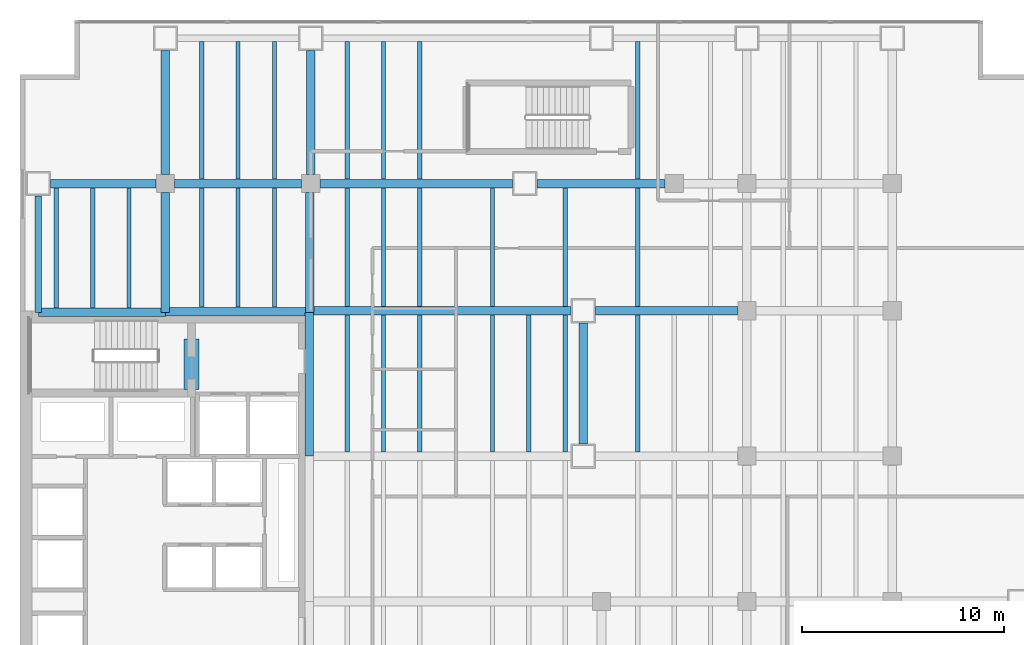
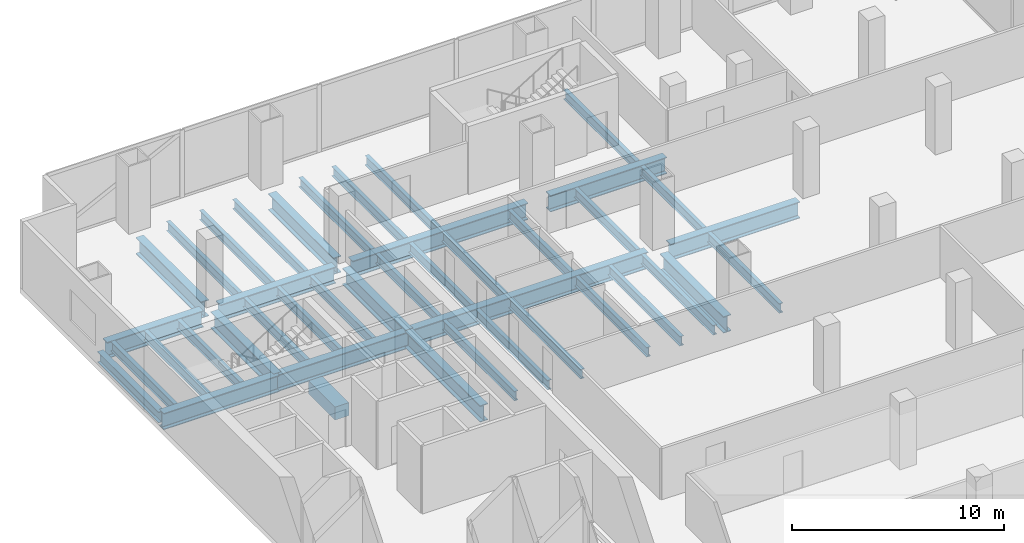
# One storey, part 11 of 34: 42 beams.
"""IFC4 building model written with IfcOpenShell, lengths in metres."""

from ifc_helpers import new_model, si_unit, direction, frame, origin, origin_2d, place, context, subcontext, project, spatial, rectangle, i_section, extrude, material, material_profile, profile_set, type_object, element, save


model = new_model("IFC4")

# Units and contexts
model_context = context("Model", 3, precision=1e-05, world=origin(), true_north=direction((0.0, 1.0)))
body_context = subcontext(model_context, "Body", "Model", "MODEL_VIEW")
ifc_project = project(units=[si_unit("LENGTHUNIT", "METRE"), si_unit("AREAUNIT", "SQUARE_METRE"), si_unit("VOLUMEUNIT", "CUBIC_METRE"), si_unit("PLANEANGLEUNIT", "RADIAN"), si_unit("MASSUNIT", "GRAM", prefix="KILO")], contexts=[model_context])

# Site, building, storey
site_placement = place(None, origin())
site = spatial("IfcSite", under=ifc_project, at=site_placement, CompositionType="ELEMENT")
building_placement = place(site_placement, origin())
building = spatial("IfcBuilding", under=site, at=building_placement, Name="Cobrela Telecom Tower", CompositionType="ELEMENT")
storey_placement = place(building_placement, frame((0.0, 0.0, 5.25)))
storey = spatial("IfcBuildingStorey", under=building, at=storey_placement, Name="L01", CompositionType="ELEMENT", Elevation=5.25)

# Beams
ifc_material_1 = material(Name="Concrete C40/50", Category="concrete")
ifc_material_profile_1 = material_profile(ifc_material_1, rectangle(XDim=0.75, YDim=0.75, at=origin_2d()), Name="RC 750x750")
ifc_profile_set_1 = profile_set([ifc_material_profile_1], Name="Concrete C40/50")
beam_type_1 = type_object("IfcBeamType", Name="BM-COUP-RC", PredefinedType="LINTEL", material=ifc_profile_set_1)
beam_1_placement = place(storey_placement, frame((8.5, 32.10009765625, -0.64990234375), z_axis=(0.0, 1.0, 0.0), x_axis=(-1.0, 0.0, 0.0)))
element("IfcBeam", 1, at=beam_1_placement, inside=storey, type_object=beam_type_1, Name="L01 Core Coupling Lintel Beam", PredefinedType="LINTEL", context=body_context, shape_type="SweptSolid", body=[
    extrude(rectangle(XDim=0.75, YDim=0.75, at=origin_2d()), origin(), (0.0, 0.0, 1.0), 2.5),
])
ifc_material_2 = material(Name="Steel ASTM A992 Grade 50", Category="steel")
ifc_material_profile_2 = material_profile(ifc_material_2, i_section(OverallWidth=0.424072265625, OverallDepth=0.947021484375, WebThickness=0.02392578125, FlangeThickness=0.042724609375, FilletRadius=0.02392578125, at=origin_2d()), Name="W36X302")
ifc_profile_set_2 = profile_set([ifc_material_profile_2], Name="Steel ASTM A992 Grade 50")
beam_type_2 = type_object("IfcBeamType", Name="BM-GIRD-01", PredefinedType="USERDEFINED", material=ifc_profile_set_2)
beam_2_placement = place(storey_placement, frame((0.905029296875, 35.919921875, -0.7734375), z_axis=(1.0, 0.0, 0.0), x_axis=(0.0, 1.0, 0.0)))
element("IfcBeam", 2, at=beam_2_placement, inside=storey, type_object=beam_type_2, Name="L01 Primary Girder X35", ObjectType="GIRDER", PredefinedType="USERDEFINED", context=body_context, shape_type="SweptSolid", body=[
    extrude(i_section(OverallWidth=0.424072265625, OverallDepth=0.947021484375, WebThickness=0.02392578125, FlangeThickness=0.042724609375, FilletRadius=0.02392578125, at=origin_2d()), origin(), (0.0, 0.0, 1.0), 6.2900390625),
])
beam_3_placement = place(storey_placement, frame((7.205078125, 35.9599609375, -0.7734375), z_axis=(1.0, 0.0, 0.0), x_axis=(0.0, 1.0, 0.0)))
element("IfcBeam", 3, at=beam_3_placement, inside=storey, type_object=beam_type_2, Name="L01 Primary Girder X36", ObjectType="GIRDER", PredefinedType="USERDEFINED", context=body_context, shape_type="SweptSolid", body=[
    extrude(i_section(OverallWidth=0.424072265625, OverallDepth=0.947021484375, WebThickness=0.02392578125, FlangeThickness=0.042724609375, FilletRadius=0.02392578125, at=origin_2d()), origin(), (0.0, 0.0, 1.0), 7.10986328125),
])
beam_4_placement = place(storey_placement, frame((14.324951171875, 36.0, -0.7734375), z_axis=(1.0, 0.0, 0.0), x_axis=(0.0, 1.0, 0.0)))
element("IfcBeam", 4, at=beam_4_placement, inside=storey, type_object=beam_type_2, Name="L01 Primary Girder X37", ObjectType="GIRDER", PredefinedType="USERDEFINED", context=body_context, shape_type="SweptSolid", body=[
    extrude(i_section(OverallWidth=0.424072265625, OverallDepth=0.947021484375, WebThickness=0.02392578125, FlangeThickness=0.042724609375, FilletRadius=0.02392578125, at=origin_2d()), origin(), (0.0, 0.0, 1.0), 12.969970703125),
])
beam_5_placement = place(storey_placement, frame((28.5048828125, 36.0, -0.7734375), z_axis=(1.0, 0.0, 0.0), x_axis=(0.0, 1.0, 0.0)))
element("IfcBeam", 5, at=beam_5_placement, inside=storey, type_object=beam_type_2, Name="L01 Primary Girder X38", ObjectType="GIRDER", PredefinedType="USERDEFINED", context=body_context, shape_type="SweptSolid", body=[
    extrude(i_section(OverallWidth=0.424072265625, OverallDepth=0.947021484375, WebThickness=0.02392578125, FlangeThickness=0.042724609375, FilletRadius=0.02392578125, at=origin_2d()), origin(), (0.0, 0.0, 1.0), 7.0400390625),
])
beam_6_placement = place(storey_placement, frame((1.5048828125, 42.300048828125, -0.7734375), z_axis=(1.0, 0.0, 0.0), x_axis=(0.0, 1.0, 0.0)))
element("IfcBeam", 6, at=beam_6_placement, inside=storey, type_object=beam_type_2, Name="L01 Primary Girder X40", ObjectType="GIRDER", PredefinedType="USERDEFINED", context=body_context, shape_type="SweptSolid", body=[
    extrude(i_section(OverallWidth=0.424072265625, OverallDepth=0.947021484375, WebThickness=0.02392578125, FlangeThickness=0.042724609375, FilletRadius=0.02392578125, at=origin_2d()), origin(), (0.0, 0.0, 1.0), 5.240234375),
])
beam_7_placement = place(storey_placement, frame((7.655029296875, 42.300048828125, -0.7734375), z_axis=(1.0, 0.0, 0.0), x_axis=(0.0, 1.0, 0.0)))
element("IfcBeam", 7, at=beam_7_placement, inside=storey, type_object=beam_type_2, Name="L01 Primary Girder X41", ObjectType="GIRDER", PredefinedType="USERDEFINED", context=body_context, shape_type="SweptSolid", body=[
    extrude(i_section(OverallWidth=0.424072265625, OverallDepth=0.947021484375, WebThickness=0.02392578125, FlangeThickness=0.042724609375, FilletRadius=0.02392578125, at=origin_2d()), origin(), (0.0, 0.0, 1.0), 6.2900390625),
])
beam_8_placement = place(storey_placement, frame((14.85498046875, 42.300048828125, -0.7734375), z_axis=(1.0, 0.0, 0.0), x_axis=(0.0, 1.0, 0.0)))
element("IfcBeam", 8, at=beam_8_placement, inside=storey, type_object=beam_type_2, Name="L01 Primary Girder X42", ObjectType="GIRDER", PredefinedType="USERDEFINED", context=body_context, shape_type="SweptSolid", body=[
    extrude(i_section(OverallWidth=0.424072265625, OverallDepth=0.947021484375, WebThickness=0.02392578125, FlangeThickness=0.042724609375, FilletRadius=0.02392578125, at=origin_2d()), origin(), (0.0, 0.0, 1.0), 9.5400390625),
])
beam_9_placement = place(storey_placement, frame((25.60498046875, 42.300048828125, -0.7734375), z_axis=(1.0, 0.0, 0.0), x_axis=(0.0, 1.0, 0.0)))
element("IfcBeam", 9, at=beam_9_placement, inside=storey, type_object=beam_type_2, Name="L01 Primary Girder X43", ObjectType="GIRDER", PredefinedType="USERDEFINED", context=body_context, shape_type="SweptSolid", body=[
    extrude(i_section(OverallWidth=0.424072265625, OverallDepth=0.947021484375, WebThickness=0.02392578125, FlangeThickness=0.042724609375, FilletRadius=0.02392578125, at=origin_2d()), origin(), (0.0, 0.0, 1.0), 6.340087890625),
])
beam_10_placement = place(storey_placement, frame((7.199951171875, 35.925048828125, -0.7734375), z_axis=(0.0, 1.0, 0.0), x_axis=(-1.0, 0.0, 0.0)))
element("IfcBeam", 10, at=beam_10_placement, inside=storey, type_object=beam_type_2, Name="L01 Primary Girder Y52", ObjectType="GIRDER", PredefinedType="USERDEFINED", context=body_context, shape_type="SweptSolid", body=[
    extrude(i_section(OverallWidth=0.424072265625, OverallDepth=0.947021484375, WebThickness=0.02392578125, FlangeThickness=0.042724609375, FilletRadius=0.02392578125, at=origin_2d()), origin(), (0.0, 0.0, 1.0), 5.919921875),
])
beam_11_placement = place(storey_placement, frame((7.199951171875, 42.7548828125, -0.7734375), z_axis=(0.0, 1.0, 0.0), x_axis=(-1.0, 0.0, 0.0)))
element("IfcBeam", 11, at=beam_11_placement, inside=storey, type_object=beam_type_2, Name="L01 Primary Girder Y53", ObjectType="GIRDER", PredefinedType="USERDEFINED", context=body_context, shape_type="SweptSolid", body=[
    extrude(i_section(OverallWidth=0.424072265625, OverallDepth=0.947021484375, WebThickness=0.02392578125, FlangeThickness=0.042724609375, FilletRadius=0.02392578125, at=origin_2d()), origin(), (0.0, 0.0, 1.0), 6.14013671875),
])
beam_12_placement = place(storey_placement, frame((14.320068359375, 28.804931640625, -0.7734375), z_axis=(0.0, 1.0, 0.0), x_axis=(-1.0, 0.0, 0.0)))
element("IfcBeam", 12, at=beam_12_placement, inside=storey, type_object=beam_type_2, Name="L01 Primary Girder Y58", ObjectType="GIRDER", PredefinedType="USERDEFINED", context=body_context, shape_type="SweptSolid", body=[
    extrude(i_section(OverallWidth=0.424072265625, OverallDepth=0.947021484375, WebThickness=0.02392578125, FlangeThickness=0.042724609375, FilletRadius=0.02392578125, at=origin_2d()), origin(), (0.0, 0.0, 1.0), 7.110107421875),
])
beam_13_placement = place(storey_placement, frame((14.360107421875, 35.925048828125, -0.7734375), z_axis=(0.0, 1.0, 0.0), x_axis=(-1.0, 0.0, 0.0)))
element("IfcBeam", 13, at=beam_13_placement, inside=storey, type_object=beam_type_2, Name="L01 Primary Girder Y59", ObjectType="GIRDER", PredefinedType="USERDEFINED", context=body_context, shape_type="SweptSolid", body=[
    extrude(i_section(OverallWidth=0.424072265625, OverallDepth=0.947021484375, WebThickness=0.02392578125, FlangeThickness=0.042724609375, FilletRadius=0.02392578125, at=origin_2d()), origin(), (0.0, 0.0, 1.0), 5.919921875),
])
beam_14_placement = place(storey_placement, frame((14.39990234375, 42.7548828125, -0.7734375), z_axis=(0.0, 1.0, 0.0), x_axis=(-1.0, 0.0, 0.0)))
element("IfcBeam", 14, at=beam_14_placement, inside=storey, type_object=beam_type_2, Name="L01 Primary Girder Y60", ObjectType="GIRDER", PredefinedType="USERDEFINED", context=body_context, shape_type="SweptSolid", body=[
    extrude(i_section(OverallWidth=0.424072265625, OverallDepth=0.947021484375, WebThickness=0.02392578125, FlangeThickness=0.042724609375, FilletRadius=0.02392578125, at=origin_2d()), origin(), (0.0, 0.0, 1.0), 6.14013671875),
])
beam_15_placement = place(storey_placement, frame((27.89990234375, 29.405029296875, -0.7734375), z_axis=(0.0, 1.0, 0.0), x_axis=(-1.0, 0.0, 0.0)))
element("IfcBeam", 15, at=beam_15_placement, inside=storey, type_object=beam_type_2, Name="L01 Primary Girder Y61", ObjectType="GIRDER", PredefinedType="USERDEFINED", context=body_context, shape_type="SweptSolid", body=[
    extrude(i_section(OverallWidth=0.424072265625, OverallDepth=0.947021484375, WebThickness=0.02392578125, FlangeThickness=0.042724609375, FilletRadius=0.02392578125, at=origin_2d()), origin(), (0.0, 0.0, 1.0), 5.989990234375),
])
ifc_material_profile_3 = material_profile(ifc_material_2, i_section(OverallWidth=0.212890625, OverallDepth=0.549072265625, WebThickness=0.0146484375, FlangeThickness=0.023681640625, FilletRadius=0.013916015625, at=origin_2d()), Name="W21X93")
ifc_profile_set_3 = profile_set([ifc_material_profile_3], Name="Steel ASTM A992 Grade 50")
beam_type_3 = type_object("IfcBeamType", Name="BM-JOIST-01", PredefinedType="JOIST", material=ifc_profile_set_3)
for number, where, z_axis, x_axis, name in (
    (16, (1.800048828125, 36.136962890625, -0.574462890625), (0.0, 1.0, 0.0), (-1.0, 0.0, 0.0), "L01 Secondary Composite Floor Beam J01"),
    (17, (3.60009765625, 36.136962890625, -0.574462890625), (0.0, 1.0, 0.0), (-1.0, 0.0, 0.0), "L01 Secondary Composite Floor Beam J02"),
    (18, (5.39990234375, 36.136962890625, -0.574462890625), (0.0, 1.0, 0.0), (-1.0, 0.0, 0.0), "L01 Secondary Composite Floor Beam J03"),
):
    element("IfcBeam", number, at=place(storey_placement, frame(where, z_axis=z_axis, x_axis=x_axis)), inside=storey, type_object=beam_type_3, Name=name, PredefinedType="JOIST", context=body_context, shape_type="SweptSolid", body=[
        extrude(i_section(OverallWidth=0.212890625, OverallDepth=0.549072265625, WebThickness=0.0146484375, FlangeThickness=0.023681640625, FilletRadius=0.013916015625, at=origin_2d()), origin(), (0.0, 0.0, 1.0), 5.946044921875),
    ])
beam_16_placement = place(storey_placement, frame((9.0, 36.177001953125, -0.574462890625), z_axis=(0.0, 1.0, 0.0), x_axis=(-1.0, 0.0, 0.0)))
element("IfcBeam", 19, at=beam_16_placement, inside=storey, type_object=beam_type_3, Name="L01 Secondary Composite Floor Beam J05", PredefinedType="JOIST", context=body_context, shape_type="SweptSolid", body=[
    extrude(i_section(OverallWidth=0.212890625, OverallDepth=0.549072265625, WebThickness=0.0146484375, FlangeThickness=0.023681640625, FilletRadius=0.013916015625, at=origin_2d()), origin(), (0.0, 0.0, 1.0), 5.906005859375),
])
beam_17_placement = place(storey_placement, frame((9.0, 42.51708984375, -0.574462890625), z_axis=(0.0, 1.0, 0.0), x_axis=(-1.0, 0.0, 0.0)))
element("IfcBeam", 20, at=beam_17_placement, inside=storey, type_object=beam_type_3, Name="L01 Secondary Composite Floor Beam J06", PredefinedType="JOIST", context=body_context, shape_type="SweptSolid", body=[
    extrude(i_section(OverallWidth=0.212890625, OverallDepth=0.549072265625, WebThickness=0.0146484375, FlangeThickness=0.023681640625, FilletRadius=0.013916015625, at=origin_2d()), origin(), (0.0, 0.0, 1.0), 6.81396484375),
])
beam_18_placement = place(storey_placement, frame((10.800048828125, 36.177001953125, -0.574462890625), z_axis=(0.0, 1.0, 0.0), x_axis=(-1.0, 0.0, 0.0)))
element("IfcBeam", 21, at=beam_18_placement, inside=storey, type_object=beam_type_3, Name="L01 Secondary Composite Floor Beam J08", PredefinedType="JOIST", context=body_context, shape_type="SweptSolid", body=[
    extrude(i_section(OverallWidth=0.212890625, OverallDepth=0.549072265625, WebThickness=0.0146484375, FlangeThickness=0.023681640625, FilletRadius=0.013916015625, at=origin_2d()), origin(), (0.0, 0.0, 1.0), 5.906005859375),
])
beam_19_placement = place(storey_placement, frame((10.800048828125, 42.51708984375, -0.574462890625), z_axis=(0.0, 1.0, 0.0), x_axis=(-1.0, 0.0, 0.0)))
element("IfcBeam", 22, at=beam_19_placement, inside=storey, type_object=beam_type_3, Name="L01 Secondary Composite Floor Beam J09", PredefinedType="JOIST", context=body_context, shape_type="SweptSolid", body=[
    extrude(i_section(OverallWidth=0.212890625, OverallDepth=0.549072265625, WebThickness=0.0146484375, FlangeThickness=0.023681640625, FilletRadius=0.013916015625, at=origin_2d()), origin(), (0.0, 0.0, 1.0), 6.81396484375),
])
beam_20_placement = place(storey_placement, frame((12.60009765625, 36.177001953125, -0.574462890625), z_axis=(0.0, 1.0, 0.0), x_axis=(-1.0, 0.0, 0.0)))
element("IfcBeam", 23, at=beam_20_placement, inside=storey, type_object=beam_type_3, Name="L01 Secondary Composite Floor Beam J11", PredefinedType="JOIST", context=body_context, shape_type="SweptSolid", body=[
    extrude(i_section(OverallWidth=0.212890625, OverallDepth=0.549072265625, WebThickness=0.0146484375, FlangeThickness=0.023681640625, FilletRadius=0.013916015625, at=origin_2d()), origin(), (0.0, 0.0, 1.0), 5.906005859375),
])
beam_21_placement = place(storey_placement, frame((12.60009765625, 42.51708984375, -0.574462890625), z_axis=(0.0, 1.0, 0.0), x_axis=(-1.0, 0.0, 0.0)))
element("IfcBeam", 24, at=beam_21_placement, inside=storey, type_object=beam_type_3, Name="L01 Secondary Composite Floor Beam J12", PredefinedType="JOIST", context=body_context, shape_type="SweptSolid", body=[
    extrude(i_section(OverallWidth=0.212890625, OverallDepth=0.549072265625, WebThickness=0.0146484375, FlangeThickness=0.023681640625, FilletRadius=0.013916015625, at=origin_2d()), origin(), (0.0, 0.0, 1.0), 6.81396484375),
])
beam_22_placement = place(storey_placement, frame((16.199951171875, 29.01708984375, -0.574462890625), z_axis=(0.0, 1.0, 0.0), x_axis=(-1.0, 0.0, 0.0)))
element("IfcBeam", 25, at=beam_22_placement, inside=storey, type_object=beam_type_3, Name="L01 Secondary Composite Floor Beam J17", PredefinedType="JOIST", context=body_context, shape_type="SweptSolid", body=[
    extrude(i_section(OverallWidth=0.212890625, OverallDepth=0.549072265625, WebThickness=0.0146484375, FlangeThickness=0.023681640625, FilletRadius=0.013916015625, at=origin_2d()), origin(), (0.0, 0.0, 1.0), 6.765869140625),
])
beam_23_placement = place(storey_placement, frame((16.199951171875, 36.217041015625, -0.574462890625), z_axis=(0.0, 1.0, 0.0), x_axis=(-1.0, 0.0, 0.0)))
element("IfcBeam", 26, at=beam_23_placement, inside=storey, type_object=beam_type_3, Name="L01 Secondary Composite Floor Beam J18", PredefinedType="JOIST", context=body_context, shape_type="SweptSolid", body=[
    extrude(i_section(OverallWidth=0.212890625, OverallDepth=0.549072265625, WebThickness=0.0146484375, FlangeThickness=0.023681640625, FilletRadius=0.013916015625, at=origin_2d()), origin(), (0.0, 0.0, 1.0), 5.865966796875),
])
beam_24_placement = place(storey_placement, frame((16.199951171875, 42.51708984375, -0.574462890625), z_axis=(0.0, 1.0, 0.0), x_axis=(-1.0, 0.0, 0.0)))
element("IfcBeam", 27, at=beam_24_placement, inside=storey, type_object=beam_type_3, Name="L01 Secondary Composite Floor Beam J19", PredefinedType="JOIST", context=body_context, shape_type="SweptSolid", body=[
    extrude(i_section(OverallWidth=0.212890625, OverallDepth=0.549072265625, WebThickness=0.0146484375, FlangeThickness=0.023681640625, FilletRadius=0.013916015625, at=origin_2d()), origin(), (0.0, 0.0, 1.0), 6.81396484375),
])
beam_25_placement = place(storey_placement, frame((18.0, 29.01708984375, -0.574462890625), z_axis=(0.0, 1.0, 0.0), x_axis=(-1.0, 0.0, 0.0)))
element("IfcBeam", 28, at=beam_25_placement, inside=storey, type_object=beam_type_3, Name="L01 Secondary Composite Floor Beam J24", PredefinedType="JOIST", context=body_context, shape_type="SweptSolid", body=[
    extrude(i_section(OverallWidth=0.212890625, OverallDepth=0.549072265625, WebThickness=0.0146484375, FlangeThickness=0.023681640625, FilletRadius=0.013916015625, at=origin_2d()), origin(), (0.0, 0.0, 1.0), 6.765869140625),
])
beam_26_placement = place(storey_placement, frame((18.0, 36.217041015625, -0.574462890625), z_axis=(0.0, 1.0, 0.0), x_axis=(-1.0, 0.0, 0.0)))
element("IfcBeam", 29, at=beam_26_placement, inside=storey, type_object=beam_type_3, Name="L01 Secondary Composite Floor Beam J25", PredefinedType="JOIST", context=body_context, shape_type="SweptSolid", body=[
    extrude(i_section(OverallWidth=0.212890625, OverallDepth=0.549072265625, WebThickness=0.0146484375, FlangeThickness=0.023681640625, FilletRadius=0.013916015625, at=origin_2d()), origin(), (0.0, 0.0, 1.0), 5.865966796875),
])
beam_27_placement = place(storey_placement, frame((18.0, 42.51708984375, -0.574462890625), z_axis=(0.0, 1.0, 0.0), x_axis=(-1.0, 0.0, 0.0)))
element("IfcBeam", 30, at=beam_27_placement, inside=storey, type_object=beam_type_3, Name="L01 Secondary Composite Floor Beam J26", PredefinedType="JOIST", context=body_context, shape_type="SweptSolid", body=[
    extrude(i_section(OverallWidth=0.212890625, OverallDepth=0.549072265625, WebThickness=0.0146484375, FlangeThickness=0.023681640625, FilletRadius=0.013916015625, at=origin_2d()), origin(), (0.0, 0.0, 1.0), 6.81396484375),
])
beam_28_placement = place(storey_placement, frame((19.800048828125, 29.01708984375, -0.574462890625), z_axis=(0.0, 1.0, 0.0), x_axis=(-1.0, 0.0, 0.0)))
element("IfcBeam", 31, at=beam_28_placement, inside=storey, type_object=beam_type_3, Name="L01 Secondary Composite Floor Beam J31", PredefinedType="JOIST", context=body_context, shape_type="SweptSolid", body=[
    extrude(i_section(OverallWidth=0.212890625, OverallDepth=0.549072265625, WebThickness=0.0146484375, FlangeThickness=0.023681640625, FilletRadius=0.013916015625, at=origin_2d()), origin(), (0.0, 0.0, 1.0), 6.765869140625),
])
beam_29_placement = place(storey_placement, frame((19.800048828125, 36.217041015625, -0.574462890625), z_axis=(0.0, 1.0, 0.0), x_axis=(-1.0, 0.0, 0.0)))
element("IfcBeam", 32, at=beam_29_placement, inside=storey, type_object=beam_type_3, Name="L01 Secondary Composite Floor Beam J32", PredefinedType="JOIST", context=body_context, shape_type="SweptSolid", body=[
    extrude(i_section(OverallWidth=0.212890625, OverallDepth=0.549072265625, WebThickness=0.0146484375, FlangeThickness=0.023681640625, FilletRadius=0.013916015625, at=origin_2d()), origin(), (0.0, 0.0, 1.0), 5.865966796875),
])
beam_30_placement = place(storey_placement, frame((19.800048828125, 42.51708984375, -0.574462890625), z_axis=(0.0, 1.0, 0.0), x_axis=(-1.0, 0.0, 0.0)))
element("IfcBeam", 33, at=beam_30_placement, inside=storey, type_object=beam_type_3, Name="L01 Secondary Composite Floor Beam J33", PredefinedType="JOIST", context=body_context, shape_type="SweptSolid", body=[
    extrude(i_section(OverallWidth=0.212890625, OverallDepth=0.549072265625, WebThickness=0.0146484375, FlangeThickness=0.023681640625, FilletRadius=0.013916015625, at=origin_2d()), origin(), (0.0, 0.0, 1.0), 6.81396484375),
])
beam_31_placement = place(storey_placement, frame((23.39990234375, 29.01708984375, -0.574462890625), z_axis=(0.0, 1.0, 0.0), x_axis=(-1.0, 0.0, 0.0)))
element("IfcBeam", 34, at=beam_31_placement, inside=storey, type_object=beam_type_3, Name="L01 Secondary Composite Floor Beam J38", PredefinedType="JOIST", context=body_context, shape_type="SweptSolid", body=[
    extrude(i_section(OverallWidth=0.212890625, OverallDepth=0.549072265625, WebThickness=0.0146484375, FlangeThickness=0.023681640625, FilletRadius=0.013916015625, at=origin_2d()), origin(), (0.0, 0.0, 1.0), 6.765869140625),
])
beam_32_placement = place(storey_placement, frame((23.39990234375, 36.217041015625, -0.574462890625), z_axis=(0.0, 1.0, 0.0), x_axis=(-1.0, 0.0, 0.0)))
element("IfcBeam", 35, at=beam_32_placement, inside=storey, type_object=beam_type_3, Name="L01 Secondary Composite Floor Beam J39", PredefinedType="JOIST", context=body_context, shape_type="SweptSolid", body=[
    extrude(i_section(OverallWidth=0.212890625, OverallDepth=0.549072265625, WebThickness=0.0146484375, FlangeThickness=0.023681640625, FilletRadius=0.013916015625, at=origin_2d()), origin(), (0.0, 0.0, 1.0), 5.865966796875),
])
for number, where, z_axis, x_axis, name in (
    (36, (25.199951171875, 29.01708984375, -0.574462890625), (0.0, 1.0, 0.0), (-1.0, 0.0, 0.0), "L01 Secondary Composite Floor Beam J44"),
    (37, (27.0, 29.01708984375, -0.574462890625), (0.0, 1.0, 0.0), (-1.0, 0.0, 0.0), "L01 Secondary Composite Floor Beam J49"),
):
    element("IfcBeam", number, at=place(storey_placement, frame(where, z_axis=z_axis, x_axis=x_axis)), inside=storey, type_object=beam_type_3, Name=name, PredefinedType="JOIST", context=body_context, shape_type="SweptSolid", body=[
        extrude(i_section(OverallWidth=0.212890625, OverallDepth=0.549072265625, WebThickness=0.0146484375, FlangeThickness=0.023681640625, FilletRadius=0.013916015625, at=origin_2d()), origin(), (0.0, 0.0, 1.0), 6.765869140625),
    ])
beam_33_placement = place(storey_placement, frame((27.0, 36.217041015625, -0.574462890625), z_axis=(0.0, 1.0, 0.0), x_axis=(-1.0, 0.0, 0.0)))
element("IfcBeam", 38, at=beam_33_placement, inside=storey, type_object=beam_type_3, Name="L01 Secondary Composite Floor Beam J50", PredefinedType="JOIST", context=body_context, shape_type="SweptSolid", body=[
    extrude(i_section(OverallWidth=0.212890625, OverallDepth=0.549072265625, WebThickness=0.0146484375, FlangeThickness=0.023681640625, FilletRadius=0.013916015625, at=origin_2d()), origin(), (0.0, 0.0, 1.0), 5.865966796875),
])
beam_34_placement = place(storey_placement, frame((30.60009765625, 29.01708984375, -0.574462890625), z_axis=(0.0, 1.0, 0.0), x_axis=(-1.0, 0.0, 0.0)))
element("IfcBeam", 39, at=beam_34_placement, inside=storey, type_object=beam_type_3, Name="L01 Secondary Composite Floor Beam J55", PredefinedType="JOIST", context=body_context, shape_type="SweptSolid", body=[
    extrude(i_section(OverallWidth=0.212890625, OverallDepth=0.549072265625, WebThickness=0.0146484375, FlangeThickness=0.023681640625, FilletRadius=0.013916015625, at=origin_2d()), origin(), (0.0, 0.0, 1.0), 6.765869140625),
])
beam_35_placement = place(storey_placement, frame((30.60009765625, 36.217041015625, -0.574462890625), z_axis=(0.0, 1.0, 0.0), x_axis=(-1.0, 0.0, 0.0)))
element("IfcBeam", 40, at=beam_35_placement, inside=storey, type_object=beam_type_3, Name="L01 Secondary Composite Floor Beam J56", PredefinedType="JOIST", context=body_context, shape_type="SweptSolid", body=[
    extrude(i_section(OverallWidth=0.212890625, OverallDepth=0.549072265625, WebThickness=0.0146484375, FlangeThickness=0.023681640625, FilletRadius=0.013916015625, at=origin_2d()), origin(), (0.0, 0.0, 1.0), 5.865966796875),
])
beam_36_placement = place(storey_placement, frame((30.60009765625, 42.51708984375, -0.574462890625), z_axis=(0.0, 1.0, 0.0), x_axis=(-1.0, 0.0, 0.0)))
element("IfcBeam", 41, at=beam_36_placement, inside=storey, type_object=beam_type_3, Name="L01 Secondary Composite Floor Beam J57", PredefinedType="JOIST", context=body_context, shape_type="SweptSolid", body=[
    extrude(i_section(OverallWidth=0.212890625, OverallDepth=0.549072265625, WebThickness=0.0146484375, FlangeThickness=0.023681640625, FilletRadius=0.013916015625, at=origin_2d()), origin(), (0.0, 0.0, 1.0), 6.81396484375),
])
ifc_material_profile_4 = material_profile(ifc_material_2, i_section(OverallWidth=0.327880859375, OverallDepth=0.6220703125, WebThickness=0.015380859375, FlangeThickness=0.0244140625, FilletRadius=0.014892578125, at=origin_2d()), Name="W24X131")
ifc_profile_set_4 = profile_set([ifc_material_profile_4], Name="Steel ASTM A992 Grade 50")
beam_type_4 = type_object("IfcBeamType", Name="BM-SPAND-01", PredefinedType="SPANDREL", material=ifc_profile_set_4)
beam_37_placement = place(storey_placement, frame((0.89990234375, 35.925048828125, -0.611083984375), z_axis=(0.0, 1.0, 0.0), x_axis=(-1.0, 0.0, 0.0)))
element("IfcBeam", 42, at=beam_37_placement, inside=storey, type_object=beam_type_4, Name="L01 Perimeter Spandrel Y50", PredefinedType="SPANDREL", context=body_context, shape_type="SweptSolid", body=[
    extrude(i_section(OverallWidth=0.327880859375, OverallDepth=0.6220703125, WebThickness=0.015380859375, FlangeThickness=0.0244140625, FilletRadius=0.014892578125, at=origin_2d()), origin(), (0.0, 0.0, 1.0), 5.77001953125),
])

save(model, "model.ifc")
